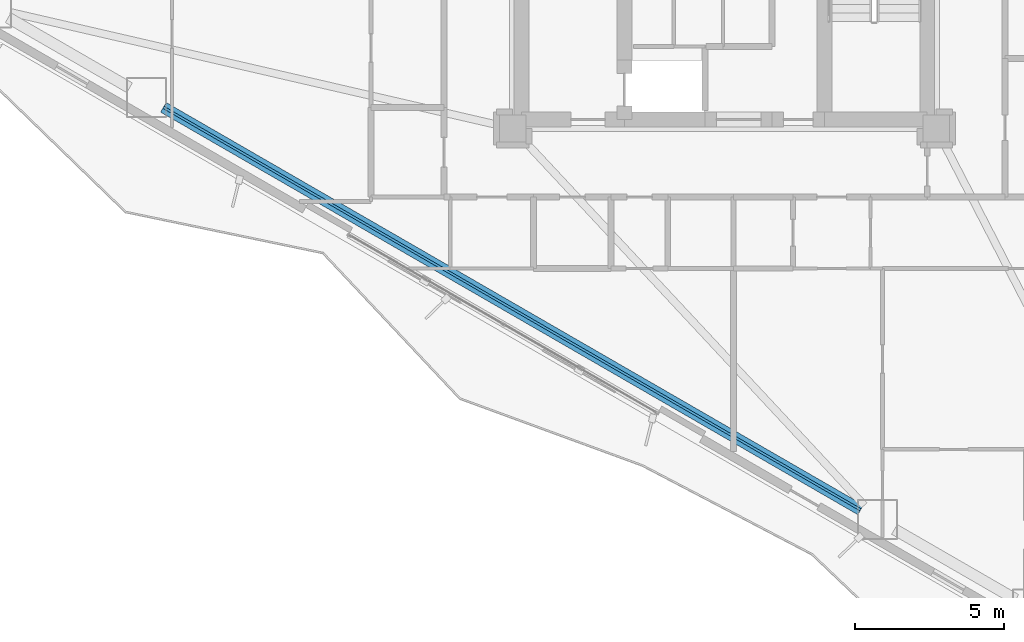
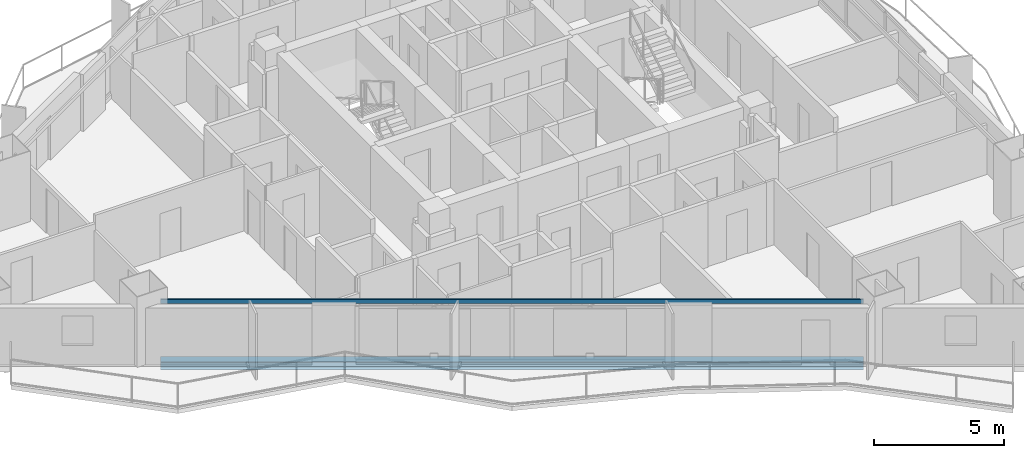
# One storey, part 3 of 19: 2 beams.
"""IFC4 building model written with IfcOpenShell, lengths in metres."""

from ifc_helpers import new_model, si_unit, direction, frame, origin, origin_2d, place, context, subcontext, project, spatial, hollow_rectangle, i_section, extrude, material, material_profile, profile_set, type_object, element, save


model = new_model("IFC4")

# Units and contexts
model_context = context("Model", 3, precision=1e-05, world=origin(), true_north=direction((0.0, 1.0)))
body_context = subcontext(model_context, "Body", "Model", "MODEL_VIEW")
ifc_project = project(units=[si_unit("LENGTHUNIT", "METRE"), si_unit("AREAUNIT", "SQUARE_METRE"), si_unit("VOLUMEUNIT", "CUBIC_METRE"), si_unit("PLANEANGLEUNIT", "RADIAN"), si_unit("MASSUNIT", "GRAM", prefix="KILO")], contexts=[model_context])

# Site, building, storey
site_placement = place(None, origin())
site = spatial("IfcSite", under=ifc_project, at=site_placement, CompositionType="ELEMENT")
building_placement = place(site_placement, origin())
building = spatial("IfcBuilding", under=site, at=building_placement, Name="Mersakhor Tower and Convention Hall", CompositionType="ELEMENT")
storey_placement = place(building_placement, frame((0.0, 0.0, 45.60009765625)))
storey = spatial("IfcBuildingStorey", under=building, at=storey_placement, Name="L12", CompositionType="ELEMENT", Elevation=45.60009765625)

# Beams
ifc_material_1 = material(Name="Steel S355", Category="steel")
ifc_material_profile_1 = material_profile(ifc_material_1, hollow_rectangle(XDim=0.080078125, YDim=0.179931640625, WallThickness=0.008056640625, at=origin_2d()), Name="RHS 180x80x8")
ifc_profile_set_1 = profile_set([ifc_material_profile_1], Name="Steel S355")
beam_type_1 = type_object("IfcBeamType", Name="BM-GRT-RHS180", PredefinedType="USERDEFINED", material=ifc_profile_set_1)
beam_1_placement = place(storey_placement, frame((33.566162109375, 7.6591796875, 2.47998046875), z_axis=(-0.866025970279, 0.499999018801, 0.0), x_axis=(-0.499999018801, -0.866025970279, 0.0)))
element("IfcBeam", 1, at=beam_1_placement, inside=storey, type_object=beam_type_1, Name="L12 Facade Support Girt GRT-F3", ObjectType="GIRT", PredefinedType="USERDEFINED", context=body_context, shape_type="SweptSolid", body=[
    extrude(hollow_rectangle(XDim=0.080078125, YDim=0.179931640625, WallThickness=0.008056640625, at=origin_2d()), origin(), (0.0, 0.0, 1.0), 26.99951171875),
])
ifc_material_2 = material(Name="Steel S355", Category="steel")
ifc_material_profile_2 = material_profile(ifc_material_2, i_section(OverallWidth=0.374755859375, OverallDepth=0.37451171875, WebThickness=0.0166015625, FlangeThickness=0.027099609375, at=origin_2d()), Name="UC 356x368x202")
ifc_profile_set_2 = profile_set([ifc_material_profile_2], Name="Steel S355")
beam_type_2 = type_object("IfcBeamType", Name="BM-SPD-UC356", PredefinedType="SPANDREL", material=ifc_profile_set_2)
beam_2_placement = place(storey_placement, frame((33.566162109375, 7.6591796875, -0.447509765625), z_axis=(-0.866025970279, 0.499999018801, 0.0), x_axis=(-0.499999018801, -0.866025970279, 0.0)))
element("IfcBeam", 2, at=beam_2_placement, inside=storey, type_object=beam_type_2, Name="L12 Perimeter Spandrel Beam SPB-10", PredefinedType="SPANDREL", context=body_context, shape_type="SweptSolid", body=[
    extrude(i_section(OverallWidth=0.374755859375, OverallDepth=0.37451171875, WebThickness=0.0166015625, FlangeThickness=0.027099609375, at=origin_2d()), origin(), (0.0, 0.0, 1.0), 26.99951171875),
])

save(model, "model.ifc")
